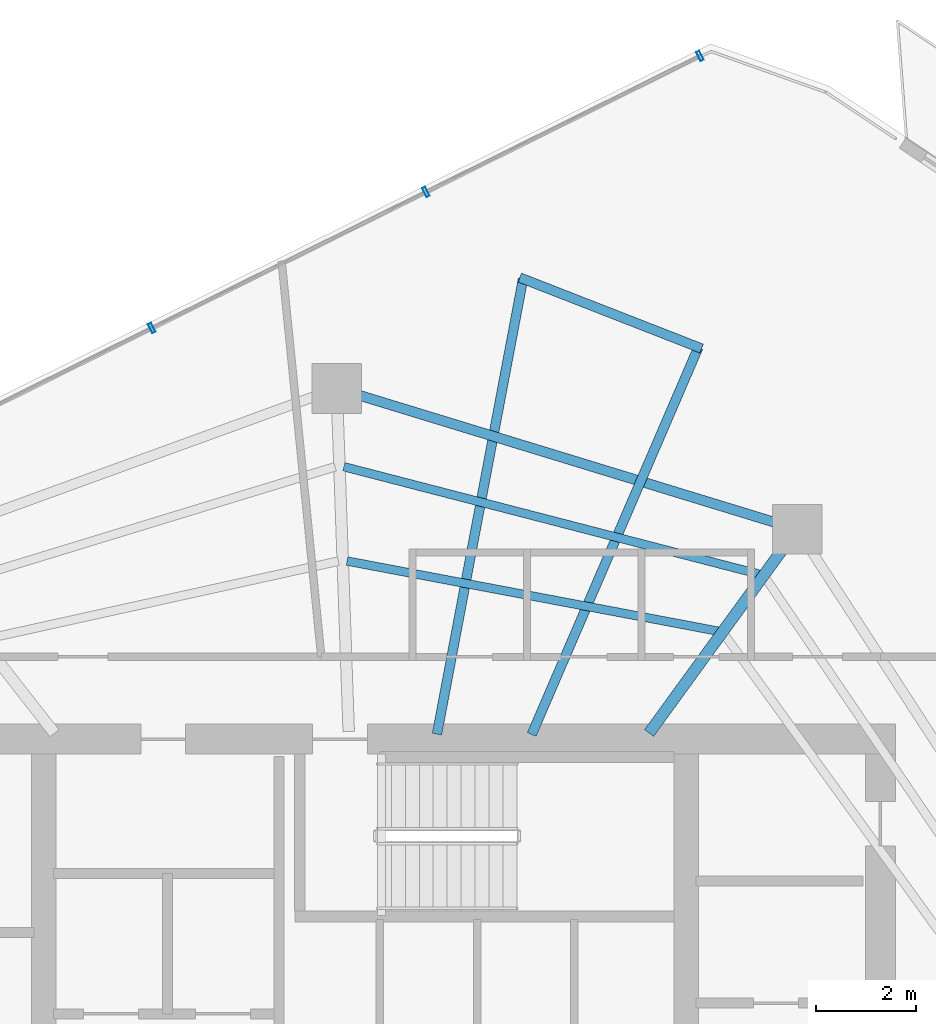
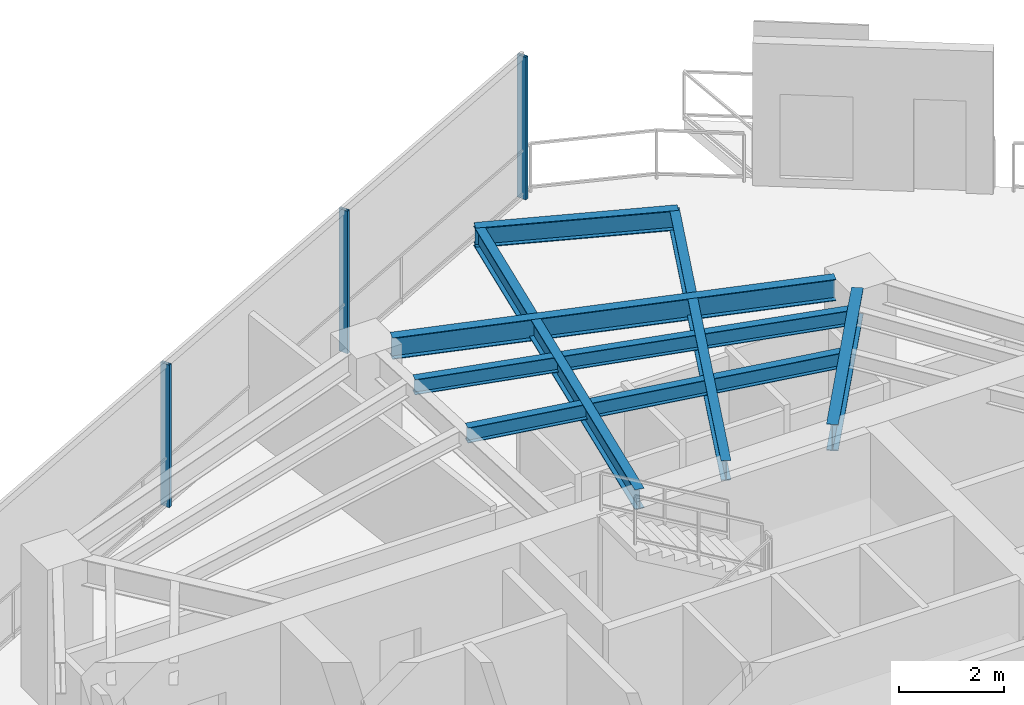
# One storey, part 14 of 21: 7 beams, 3 members, 1 element without a shape of its own.
"""IFC4 building model written with IfcOpenShell, lengths in metres."""

from ifc_helpers import new_model, si_unit, direction, frame, origin, origin_2d, place, context, subcontext, project, spatial, hollow_rectangle, i_section, extrude, material, layer, layer_set, material_profile, profile_set, type_object, element, aggregate, save


model = new_model("IFC4")

# Units and contexts
model_context = context("Model", 3, precision=1e-05, world=origin(), true_north=direction((0.0, 1.0)))
body_context = subcontext(model_context, "Body", "Model", "MODEL_VIEW")
ifc_project = project(units=[si_unit("LENGTHUNIT", "METRE"), si_unit("AREAUNIT", "SQUARE_METRE"), si_unit("VOLUMEUNIT", "CUBIC_METRE"), si_unit("PLANEANGLEUNIT", "RADIAN"), si_unit("MASSUNIT", "GRAM", prefix="KILO")], contexts=[model_context])

# Site, building, storey
site_placement = place(None, origin())
site = spatial("IfcSite", under=ifc_project, at=site_placement, CompositionType="ELEMENT")
building_placement = place(site_placement, origin())
building = spatial("IfcBuilding", under=site, at=building_placement, Name="Qarnah Convention Tower", CompositionType="ELEMENT")
storey_placement = place(building_placement, frame((0.0, 0.0, 165.300048828125)))
storey = spatial("IfcBuildingStorey", under=building, at=storey_placement, Name="L44", CompositionType="ELEMENT", Elevation=165.300048828125)

# Beams
ifc_material_1 = material(Name="Structural steel S355JR", Category="steel")
ifc_material_profile_1 = material_profile(ifc_material_1, i_section(OverallWidth=0.19189453125, OverallDepth=0.464111328125, WebThickness=0.010986328125, FlangeThickness=0.01806640625, at=origin_2d()), Name="W460X89")
ifc_profile_set_1 = profile_set([ifc_material_profile_1], Name="Structural steel S355JR")
beam_type_1 = type_object("IfcBeamType", Name="BM-CANT-W460A", PredefinedType="BEAM", material=ifc_profile_set_1)
beam_1_placement = place(storey_placement, frame((40.596923828125, 34.2919921875, 3.087890625), z_axis=(0.395464433699, 0.918481290871, 0.0), x_axis=(-0.918481290871, 0.395464433699, 0.0)))
element("IfcBeam", 1, at=beam_1_placement, inside=storey, type_object=beam_type_1, Name="L44 beam BM-L44-CNT-01-1", PredefinedType="BEAM", context=body_context, shape_type="SweptSolid", body=[
    extrude(i_section(OverallWidth=0.19189453125, OverallDepth=0.464111328125, WebThickness=0.010986328125, FlangeThickness=0.01806640625, at=origin_2d()), origin(), (0.0, 0.0, 1.0), 8.4638671875),
])
beam_2_placement = place(storey_placement, frame((38.695068359375, 34.298095703125, 3.087890625), z_axis=(0.185817043038, 0.982584361018, 0.0), x_axis=(-0.982584361018, 0.185817043038, 0.0)))
element("IfcBeam", 2, at=beam_2_placement, inside=storey, type_object=beam_type_1, Name="L44 beam BM-L44-CNT-01-2", PredefinedType="BEAM", context=body_context, shape_type="SweptSolid", body=[
    extrude(i_section(OverallWidth=0.19189453125, OverallDepth=0.464111328125, WebThickness=0.010986328125, FlangeThickness=0.01806640625, at=origin_2d()), origin(), (0.0, 0.0, 1.0), 9.304931640625),
])
beam_3_placement = place(storey_placement, frame((44.009033203125, 42.041015625, 3.087890625), z_axis=(-0.931525629959, 0.363675680695, 0.0), x_axis=(-0.363675680695, -0.931525629959, 0.0)))
element("IfcBeam", 3, at=beam_3_placement, inside=storey, type_object=beam_type_1, Name="L44 spandrel BM-L44-CTIE-01", PredefinedType="SPANDREL", context=body_context, shape_type="SweptSolid", body=[
    extrude(i_section(OverallWidth=0.19189453125, OverallDepth=0.464111328125, WebThickness=0.010986328125, FlangeThickness=0.01806640625, at=origin_2d()), origin(), (0.0, 0.0, 1.0), 3.91845703125),
])
ifc_material_profile_2 = material_profile(ifc_material_1, i_section(OverallWidth=0.172119140625, OverallDepth=0.35595703125, WebThickness=0.007080078125, FlangeThickness=0.011962890625, at=origin_2d()), Name="W360X51")
ifc_profile_set_2 = profile_set([ifc_material_profile_2], Name="Structural steel S355JR")
beam_type_2 = type_object("IfcBeamType", Name="BM-JST-W360", PredefinedType="JOIST", material=ifc_profile_set_2)
beam_4_placement = place(storey_placement, frame((45.16796875, 37.510009765625, 3.141845703125), z_axis=(-0.968125718785, 0.250464753261, 0.0), x_axis=(-0.250464753261, -0.968125718785, 0.0)))
element("IfcBeam", 4, at=beam_4_placement, inside=storey, type_object=beam_type_2, Name="L44 joist BM-L44-SJST-02", PredefinedType="JOIST", context=body_context, shape_type="SweptSolid", body=[
    extrude(i_section(OverallWidth=0.172119140625, OverallDepth=0.35595703125, WebThickness=0.007080078125, FlangeThickness=0.011962890625, at=origin_2d()), origin(), (0.0, 0.0, 1.0), 8.61962890625),
])
beam_5_placement = place(storey_placement, frame((44.341064453125, 36.365966796875, 3.141845703125), z_axis=(-0.982606152313, 0.185701775533, 0.0), x_axis=(-0.185701775533, -0.982606152313, 0.0)))
element("IfcBeam", 5, at=beam_5_placement, inside=storey, type_object=beam_type_2, Name="L44 joist BM-L44-IJST-02", PredefinedType="JOIST", context=body_context, shape_type="SweptSolid", body=[
    extrude(i_section(OverallWidth=0.172119140625, OverallDepth=0.35595703125, WebThickness=0.007080078125, FlangeThickness=0.011962890625, at=origin_2d()), origin(), (0.0, 0.0, 1.0), 7.581787109375),
])
ifc_material_profile_3 = material_profile(ifc_material_1, i_section(OverallWidth=0.22998046875, OverallDepth=0.617919921875, WebThickness=0.012939453125, FlangeThickness=0.02197265625, at=origin_2d()), Name="W610X140")
ifc_profile_set_3 = profile_set([ifc_material_profile_3], Name="Structural steel S355JR")
beam_type_3 = type_object("IfcBeamType", Name="BM-RAD-W610A", PredefinedType="BEAM", material=ifc_profile_set_3)
beam_6_placement = place(storey_placement, frame((42.955078125, 34.321044921875, 3.010986328125), z_axis=(0.58781027487, 0.808998813817, 0.0), x_axis=(-0.808998813817, 0.58781027487, 0.0)))
element("IfcBeam", 6, at=beam_6_placement, inside=storey, type_object=beam_type_3, Name="L44 beam BM-L44-RAD-02", PredefinedType="BEAM", context=body_context, shape_type="SweptSolid", body=[
    extrude(i_section(OverallWidth=0.22998046875, OverallDepth=0.617919921875, WebThickness=0.012939453125, FlangeThickness=0.02197265625, at=origin_2d()), origin(), (0.0, 0.0, 1.0), 4.57958984375),
])
ifc_material_profile_4 = material_profile(ifc_material_1, i_section(OverallWidth=0.199951171875, OverallDepth=0.5, WebThickness=0.010009765625, FlangeThickness=0.01611328125, at=origin_2d()), Name="IPE500")
ifc_profile_set_4 = profile_set([ifc_material_profile_4], Name="Structural steel S355JR")
beam_type_4 = type_object("IfcBeamType", Name="BM-SPN-IPE500", PredefinedType="SPANDREL", material=ifc_profile_set_4)
beam_7_placement = place(storey_placement, frame((45.4599609375, 38.556884765625, 3.070068359375), z_axis=(-0.956283054976, 0.292442676035, 0.0), x_axis=(-0.292442676035, -0.956283054976, 0.0)))
element("IfcBeam", 7, at=beam_7_placement, inside=storey, type_object=beam_type_4, Name="L44 spandrel BM-L44-SPN-02", PredefinedType="SPANDREL", context=body_context, shape_type="SweptSolid", body=[
    extrude(i_section(OverallWidth=0.199951171875, OverallDepth=0.5, WebThickness=0.010009765625, FlangeThickness=0.01611328125, at=origin_2d()), origin(), (0.0, 0.0, 1.0), 8.68896484375),
])

# Curtain wall, members
ifc_material_2 = material(Name="Tempered Low-E dark glass", Category="glass")
ifc_layer = layer(ifc_material_2, 0.172119140625)
ifc_layer_set = layer_set([ifc_layer], Name="Tempered Low-E dark glass")
curtain_wall_type = type_object("IfcCurtainWallType", Name="CWS-03", PredefinedType="NOTDEFINED", material=ifc_layer_set)
curtain_wall_placement = place(storey_placement, origin())
curtain_wall = element("IfcCurtainWall", 8, at=curtain_wall_placement, inside=storey, type_object=curtain_wall_type, Name="L44 unitised curtain wall CW-L44-F2", PredefinedType="NOTDEFINED")
ifc_material_3 = material(Name="Black anodised aluminium", Category="aluminium")
ifc_material_profile_5 = material_profile(ifc_material_3, hollow_rectangle(XDim=0.070068359375, YDim=0.199951171875, WallThickness=0.0048828125, at=origin_2d()), Name="MUL-70X200")
ifc_profile_set_5 = profile_set([ifc_material_profile_5], Name="Black anodised aluminium")
member_type = type_object("IfcMemberType", Name="MUL-T3", PredefinedType="MULLION", material=ifc_profile_set_5)
member_1_placement = place(storey_placement, frame((32.96826171875, 42.4521484375, 0.0), z_axis=(0.0, 0.0, 1.0), x_axis=(0.895712272422, 0.444634147399, 0.0)))
member_1 = element("IfcMember", 9, at=member_1_placement, type_object=member_type, Name="CW-L44-F2 mullion 4", PredefinedType="MULLION", context=body_context, shape_type="SweptSolid", body=[
    extrude(hollow_rectangle(XDim=0.070068359375, YDim=0.199951171875, WallThickness=0.0048828125, at=origin_2d()), origin(), (0.0, 0.0, 1.0), 3.320068359375),
])
member_2_placement = place(storey_placement, frame((38.47265625, 45.1845703125, 0.0), z_axis=(0.0, 0.0, 1.0), x_axis=(0.895712272422, 0.444634147399, 0.0)))
member_2 = element("IfcMember", 10, at=member_2_placement, type_object=member_type, Name="CW-L44-F2 mullion 5", PredefinedType="MULLION", context=body_context, shape_type="SweptSolid", body=[
    extrude(hollow_rectangle(XDim=0.070068359375, YDim=0.199951171875, WallThickness=0.0048828125, at=origin_2d()), origin(), (0.0, 0.0, 1.0), 3.320068359375),
])
member_3_placement = place(storey_placement, frame((43.97705078125, 47.9169921875, 0.0), z_axis=(0.0, 0.0, 1.0), x_axis=(0.895712272422, 0.444634147399, 0.0)))
member_3 = element("IfcMember", 11, at=member_3_placement, type_object=member_type, Name="CW-L44-F2 mullion 6", PredefinedType="MULLION", context=body_context, shape_type="SweptSolid", body=[
    extrude(hollow_rectangle(XDim=0.070068359375, YDim=0.199951171875, WallThickness=0.0048828125, at=origin_2d()), origin(), (0.0, 0.0, 1.0), 3.320068359375),
])
aggregate(curtain_wall, [member_1, member_2, member_3])

save(model, "model.ifc")
